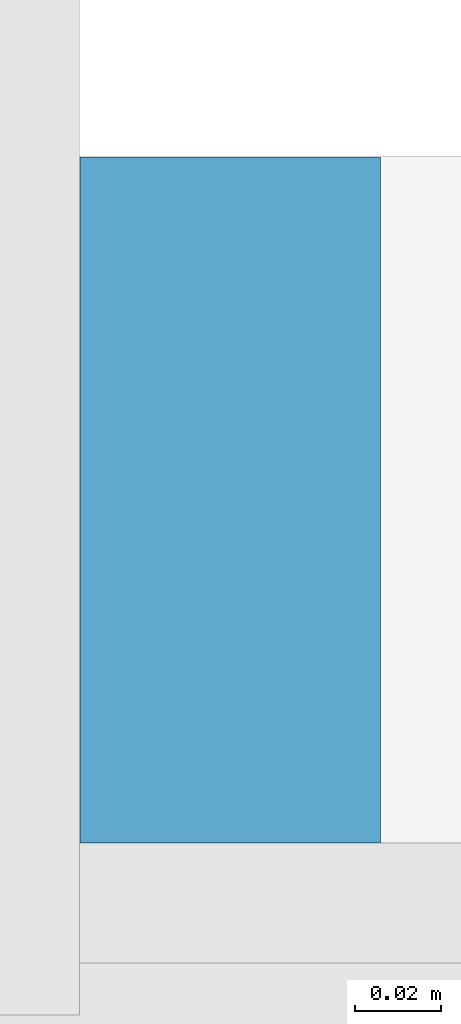
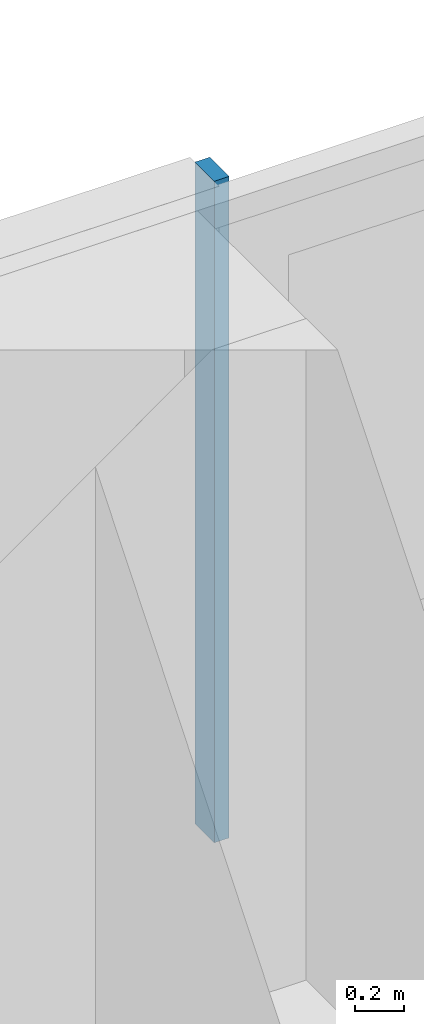
# One storey, part 9 of 25: 1 member, 1 element without a shape of its own.
"""IFC4 building model written with IfcOpenShell, lengths in metres."""

from ifc_helpers import new_model, si_unit, direction, frame, origin, origin_2d, place, context, subcontext, project, spatial, rectangle, extrude, material, material_profile, profile_set, type_object, element, aggregate, save


model = new_model("IFC4")

# Units and contexts
model_context = context("Model", 3, precision=1e-05, world=origin(), true_north=direction((0.0, 1.0)))
body_context = subcontext(model_context, "Body", "Model", "MODEL_VIEW")
ifc_project = project(units=[si_unit("LENGTHUNIT", "METRE"), si_unit("AREAUNIT", "SQUARE_METRE"), si_unit("VOLUMEUNIT", "CUBIC_METRE"), si_unit("PLANEANGLEUNIT", "RADIAN"), si_unit("MASSUNIT", "GRAM", prefix="KILO")], contexts=[model_context])

# Site, building, storey
site_placement = place(None, origin())
site = spatial("IfcSite", under=ifc_project, at=site_placement, CompositionType="ELEMENT")
building_placement = place(site_placement, origin())
building = spatial("IfcBuilding", under=site, at=building_placement, Name="Saffron Gate Tower", CompositionType="ELEMENT")
storey_placement = place(building_placement, frame((0.0, 0.0, 131.25)))
storey = spatial("IfcBuildingStorey", under=building, at=storey_placement, Name="L31", CompositionType="ELEMENT", Elevation=131.25)

# Curtain wall, member
ifc_material = material(Name="Aluminium, bronze anodised", Category="aluminium")
curtain_wall_type = type_object("IfcCurtainWallType", Name="CWS3 curtain wall rear facade", PredefinedType="NOTDEFINED", material=ifc_material)
curtain_wall_placement = place(storey_placement, origin())
curtain_wall = element("IfcCurtainWall", 1, at=curtain_wall_placement, inside=storey, type_object=curtain_wall_type, Name="CWS3 run 7", PredefinedType="NOTDEFINED")
ifc_material_profile = material_profile(ifc_material, rectangle(XDim=0.159912109375, YDim=0.070068359375, at=origin_2d()))
ifc_profile_set = profile_set([ifc_material_profile], Name="Aluminium, bronze anodised")
member_type = type_object("IfcMemberType", Name="CWS3 mullion 70x160", PredefinedType="MULLION", material=ifc_profile_set)
member_placement = place(storey_placement, frame((108.60009765625, 75.52001953125, 0.0), z_axis=(0.0, 0.0, 1.0), x_axis=(0.0, -1.0, 0.0)))
member = element("IfcMember", 2, at=member_placement, type_object=member_type, Name="CWS3 mullion 3", PredefinedType="MULLION", context=body_context, shape_type="SweptSolid", body=[
    extrude(rectangle(XDim=0.159912109375, YDim=0.070068359375, at=origin_2d()), origin(), (0.0, 0.0, 1.0), 3.320068359375),
])
aggregate(curtain_wall, [member])

save(model, "model.ifc")
